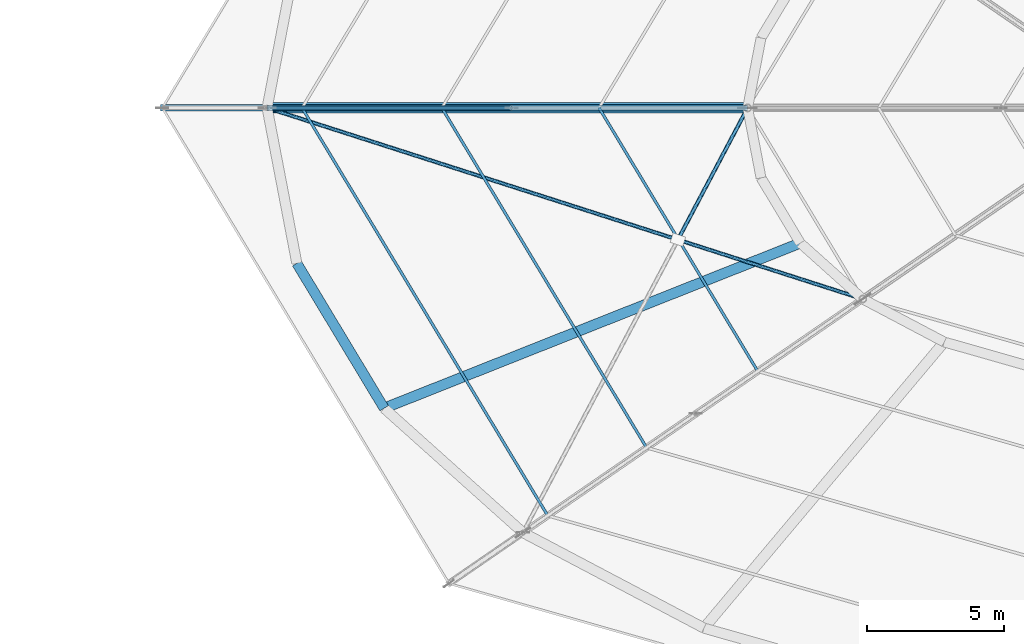
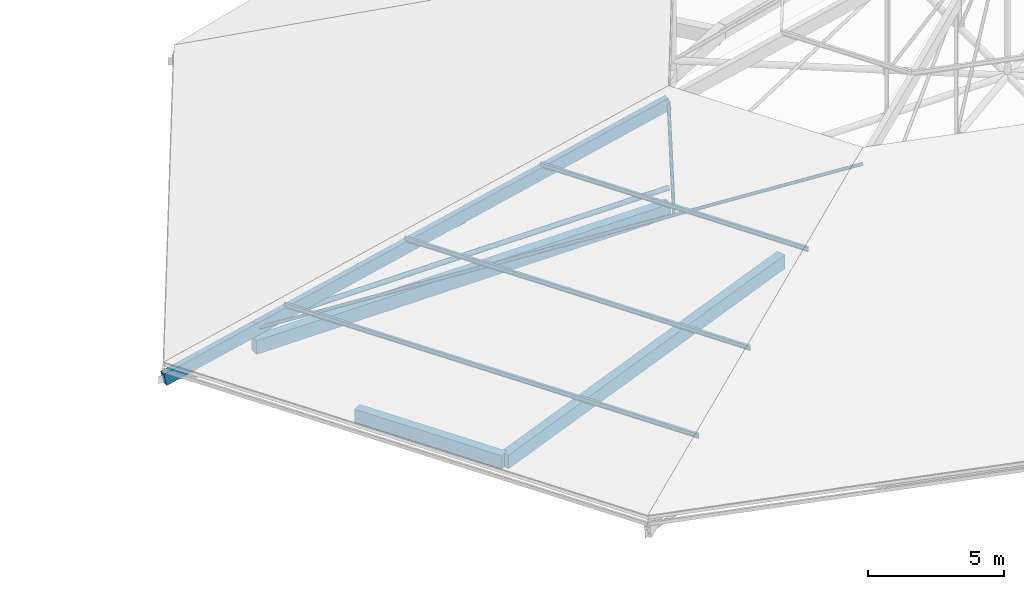
# One storey, part 21 of 66: 8 members, 3 beams.
"""IFC4 building model written with IfcOpenShell, lengths in metres."""

from ifc_helpers import new_model, si_unit, direction, frame, origin, origin_2d, place, context, subcontext, project, spatial, rectangle, hollow_circle, i_section, extrude, material, material_profile, profile_set, type_object, element, save


model = new_model("IFC4")

# Units and contexts
model_context = context("Model", 3, precision=1e-05, world=origin(), true_north=direction((0.0, 1.0)))
body_context = subcontext(model_context, "Body", "Model", "MODEL_VIEW")
ifc_project = project(units=[si_unit("LENGTHUNIT", "METRE"), si_unit("AREAUNIT", "SQUARE_METRE"), si_unit("VOLUMEUNIT", "CUBIC_METRE"), si_unit("PLANEANGLEUNIT", "RADIAN"), si_unit("MASSUNIT", "GRAM", prefix="KILO")], contexts=[model_context])

# Site, building, storey
site_placement = place(None, origin())
site = spatial("IfcSite", under=ifc_project, at=site_placement, CompositionType="ELEMENT")
building_placement = place(site_placement, origin())
building = spatial("IfcBuilding", under=site, at=building_placement, Name="Zornivar Specialist Clinic", CompositionType="ELEMENT")
storey_placement = place(building_placement, frame((0.0, 0.0, 16.0)))
storey = spatial("IfcBuildingStorey", under=building, at=storey_placement, Name="L04", CompositionType="ELEMENT", Elevation=16.0)

# Beams
ifc_material_1 = material(Name="Concrete C30/37", Category="concrete")
ifc_material_profile_1 = material_profile(ifc_material_1, rectangle(XDim=0.3798828125, YDim=0.6201171875, at=origin_2d()), Name="RC 380x620")
ifc_profile_set_1 = profile_set([ifc_material_profile_1], Name="Concrete C30/37")
beam_type_1 = type_object("IfcBeamType", Name="BM-RC-CANT-380x620", PredefinedType="BEAM", material=ifc_profile_set_1)
beam_1_placement = place(storey_placement, frame((79.199951171875, 57.60009765625, -0.550048828125), z_axis=(-1.0, 0.0, 0.0), x_axis=(0.0, -1.0, 0.0)))
element("IfcBeam", 1, at=beam_1_placement, inside=storey, type_object=beam_type_1, Name="bm:V1:L04:radcant:12", PredefinedType="BEAM", context=body_context, shape_type="SweptSolid", body=[
    extrude(rectangle(XDim=0.3798828125, YDim=0.6201171875, at=origin_2d()), origin(), (0.0, 0.0, 1.0), 17.599853515625),
])
beam_2_placement = place(storey_placement, frame((81.12890625, 52.64990234375, -0.550048828125), z_axis=(-0.929461136718, -0.368920039209, 0.0), x_axis=(0.368920039209, -0.929461136718, 0.0)))
element("IfcBeam", 2, at=beam_2_placement, inside=storey, type_object=beam_type_1, Name="bm:V1:L04:radcant:14", PredefinedType="BEAM", context=body_context, shape_type="SweptSolid", body=[
    extrude(rectangle(XDim=0.3798828125, YDim=0.6201171875, at=origin_2d()), origin(), (0.0, 0.0, 1.0), 16.398681640625),
])
ifc_material_2 = material(Name="Concrete C30/37", Category="concrete")
ifc_material_profile_2 = material_profile(ifc_material_2, rectangle(XDim=0.3701171875, YDim=0.60009765625, at=origin_2d()), Name="RC 370x600")
ifc_profile_set_2 = profile_set([ifc_material_profile_2], Name="Concrete C30/37")
beam_type_2 = type_object("IfcBeamType", Name="BM-RC-SPANDREL-370x600", PredefinedType="SPANDREL", material=ifc_profile_set_2)
beam_3_placement = place(storey_placement, frame((62.68994140625, 51.906005859375, -0.5400390625), z_axis=(0.516094506256, -0.856531646007, 0.0), x_axis=(0.856531646007, 0.516094506256, 0.0)))
element("IfcBeam", 3, at=beam_3_placement, inside=storey, type_object=beam_type_2, Name="bm:V1:L04:outring:13", PredefinedType="SPANDREL", context=body_context, shape_type="SweptSolid", body=[
    extrude(rectangle(XDim=0.3701171875, YDim=0.60009765625, at=origin_2d()), origin(), (0.0, 0.0, 1.0), 6.194580078125),
])

# Members
ifc_material_3 = material(Name="Steel S355J2", Category="steel")
ifc_material_profile_3 = material_profile(ifc_material_3, hollow_circle(Radius=0.109619140625, WallThickness=0.012451171875, at=origin_2d()), Name="CHS 219.1x12.5")
ifc_profile_set_3 = profile_set([ifc_material_profile_3], Name="Steel S355J2")
member_type_1 = type_object("IfcMemberType", Name="MEM-CHORD-CHS219", PredefinedType="CHORD", material=ifc_profile_set_3)
member_1_placement = place(storey_placement, frame((61.60009765625, 57.60009765625, 0.360107421875), z_axis=(1.0, 0.0, 0.0), x_axis=(0.0, 1.0, 0.0)))
element("IfcMember", 4, at=member_1_placement, inside=storey, type_object=member_type_1, Name="mem:V1:L04:rtie:4", PredefinedType="CHORD", context=body_context, shape_type="SweptSolid", body=[
    extrude(hollow_circle(Radius=0.109619140625, WallThickness=0.012451171875, at=origin_2d()), origin(), (0.0, 0.0, 1.0), 17.599853515625),
])
ifc_material_4 = material(Name="Steel S355J2", Category="steel")
ifc_material_profile_4 = material_profile(ifc_material_4, hollow_circle(Radius=0.06982421875, WallThickness=0.010009765625, at=origin_2d()), Name="CHS 139.7x10")
ifc_profile_set_4 = profile_set([ifc_material_profile_4], Name="Steel S355J2")
member_type_2 = type_object("IfcMemberType", Name="MEM-DIAG-CHS140H", PredefinedType="BRACE", material=ifc_profile_set_4)
member_2_placement = place(storey_placement, frame((61.60009765625, 57.60009765625, 0.360107421875), z_axis=(0.985789197909, 0.0, 0.167987074761), x_axis=(0.0, 1.0, 0.0)))
element("IfcMember", 5, at=member_2_placement, inside=storey, type_object=member_type_2, Name="mem:V1:L04:diag1:4", PredefinedType="BRACE", context=body_context, shape_type="SweptSolid", body=[
    extrude(hollow_circle(Radius=0.06982421875, WallThickness=0.010009765625, at=origin_2d()), origin(), (0.0, 0.0, 1.0), 9.089111328125),
])
ifc_material_5 = material(Name="Steel S355J2", Category="steel")
ifc_material_profile_5 = material_profile(ifc_material_5, i_section(OverallWidth=0.10009765625, OverallDepth=0.199951171875, WebThickness=0.005615234375, FlangeThickness=0.008544921875, FilletRadius=0.011962890625, at=origin_2d()), Name="IPE 200")
ifc_profile_set_5 = profile_set([ifc_material_profile_5], Name="Steel S355J2")
member_type_3 = type_object("IfcMemberType", Name="MEM-PURLIN-IPE200", PredefinedType="PURLIN", material=ifc_profile_set_5)
member_3_placement = place(storey_placement, frame((62.8798828125, 57.60009765625, 0.8349609375), z_axis=(0.51608046635, -0.856540105454, 0.0), x_axis=(0.856540105454, 0.51608046635, 0.0)))
element("IfcMember", 6, at=member_3_placement, inside=storey, type_object=member_type_3, Name="mem:V1:L04:purl:4:01", PredefinedType="PURLIN", context=body_context, shape_type="SweptSolid", body=[
    extrude(i_section(OverallWidth=0.10009765625, OverallDepth=0.199951171875, WebThickness=0.005615234375, FlangeThickness=0.008544921875, FilletRadius=0.011962890625, at=origin_2d()), origin(), (0.0, 0.0, 1.0), 17.435302734375),
])
member_4_placement = place(storey_placement, frame((68.0, 57.60009765625, 2.006103515625), z_axis=(0.516064028987, -0.856550009039, 0.0), x_axis=(0.856550009039, 0.516064028987, 0.0)))
element("IfcMember", 7, at=member_4_placement, inside=storey, type_object=member_type_3, Name="mem:V1:L04:purl:4:02", PredefinedType="PURLIN", context=body_context, shape_type="SweptSolid", body=[
    extrude(i_section(OverallWidth=0.10009765625, OverallDepth=0.199951171875, WebThickness=0.005615234375, FlangeThickness=0.008544921875, FilletRadius=0.011962890625, at=origin_2d()), origin(), (0.0, 0.0, 1.0), 14.529296875),
])
member_5_placement = place(storey_placement, frame((73.760009765625, 57.60009765625, 3.323974609375), z_axis=(0.516063616444, -0.856550257593, 0.0), x_axis=(0.856550257593, 0.516063616444, 0.0)))
element("IfcMember", 8, at=member_5_placement, inside=storey, type_object=member_type_3, Name="mem:V1:L04:purl:4:03", PredefinedType="PURLIN", context=body_context, shape_type="SweptSolid", body=[
    extrude(i_section(OverallWidth=0.10009765625, OverallDepth=0.199951171875, WebThickness=0.005615234375, FlangeThickness=0.008544921875, FilletRadius=0.011962890625, at=origin_2d()), origin(), (0.0, 0.0, 1.0), 11.26025390625),
])
ifc_material_6 = material(Name="Glulam GL28h", Category="wood")
ifc_material_profile_6 = material_profile(ifc_material_6, rectangle(XDim=0.239990234375, YDim=0.56005859375, at=origin_2d()), Name="GL28h 240x560")
ifc_profile_set_6 = profile_set([ifc_material_profile_6], Name="Glulam GL28h")
member_type_4 = type_object("IfcMemberType", Name="MEM-RAFTER-GL560", PredefinedType="RAFTER", material=ifc_profile_set_6)
member_6_placement = place(storey_placement, frame((57.760009765625, 57.60009765625, -0.700927734375), z_axis=(0.97481432698, 0.0, 0.223017999082), x_axis=(0.0, 1.0, 0.0)))
element("IfcMember", 9, at=member_6_placement, inside=storey, type_object=member_type_4, Name="mem:V1:L04:raf1:4", PredefinedType="RAFTER", context=body_context, shape_type="SweptSolid", body=[
    extrude(rectangle(XDim=0.239990234375, YDim=0.56005859375, at=origin_2d()), origin(), (0.0, 0.0, 1.0), 21.993896484375),
])
ifc_material_7 = material(Name="Steel S355J2", Category="steel")
ifc_material_profile_7 = material_profile(ifc_material_7, hollow_circle(Radius=0.06982421875, WallThickness=0.008056640625, at=origin_2d()), Name="CHS 139.7x8")
ifc_profile_set_7 = profile_set([ifc_material_profile_7], Name="Steel S355J2")
member_type_5 = type_object("IfcMemberType", Name="MEM-WIND-CHS140", PredefinedType="BRACE", material=ifc_profile_set_7)
member_7_placement = place(storey_placement, frame((61.60009765625, 57.60009765625, 0.177001953125), z_axis=(0.937818121228, -0.300887598996, 0.173100618912), x_axis=(0.305499373096, 0.952192277346, 0.0)))
element("IfcMember", 10, at=member_7_placement, inside=storey, type_object=member_type_5, Name="mem:V1:L04:wbraceA:4", PredefinedType="BRACE", context=body_context, shape_type="SweptSolid", body=[
    extrude(hollow_circle(Radius=0.06982421875, WallThickness=0.008056640625, at=origin_2d()), origin(), (0.0, 0.0, 1.0), 23.264404296875),
])
member_8_placement = place(storey_placement, frame((76.64697265625, 52.77197265625, 2.9541015625), z_axis=(0.455663930044, 0.861739493216, 0.223104075913), x_axis=(-0.884021584042, 0.467446081327, 0.0)))
element("IfcMember", 11, at=member_8_placement, inside=storey, type_object=member_type_5, Name="mem:V1:L04:wbraceB2:4", PredefinedType="BRACE", context=body_context, shape_type="SweptSolid", body=[
    extrude(hollow_circle(Radius=0.06982421875, WallThickness=0.008056640625, at=origin_2d()), origin(), (0.0, 0.0, 1.0), 5.602783203125),
])

save(model, "model.ifc")
